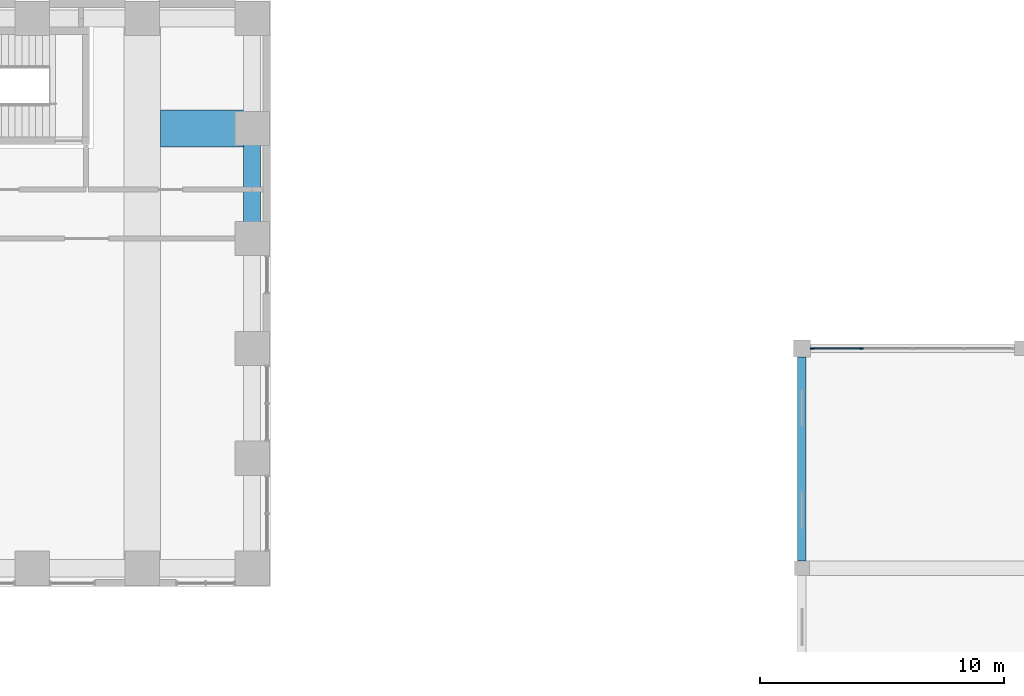
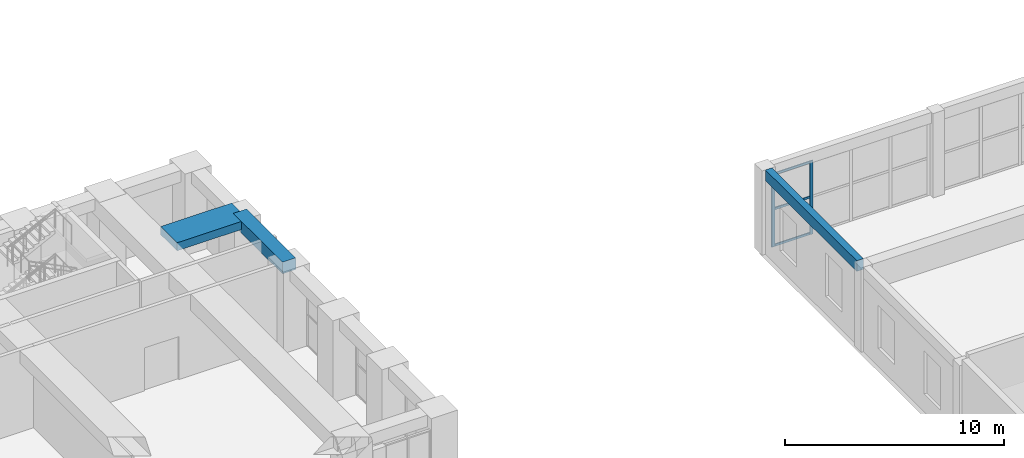
# One storey, part 9 of 34: 5 members, 3 beams, 1 element without a shape of its own.
"""IFC4 building model written with IfcOpenShell, lengths in metres."""

from ifc_helpers import new_model, si_unit, direction, frame, origin, origin_2d, place, context, subcontext, project, spatial, rectangle, extrude, material, material_profile, profile_set, type_object, element, aggregate, save


model = new_model("IFC4")

# Units and contexts
model_context = context("Model", 3, precision=1e-05, world=origin(), true_north=direction((0.0, 1.0)))
body_context = subcontext(model_context, "Body", "Model", "MODEL_VIEW")
ifc_project = project(units=[si_unit("LENGTHUNIT", "METRE"), si_unit("AREAUNIT", "SQUARE_METRE"), si_unit("VOLUMEUNIT", "CUBIC_METRE"), si_unit("PLANEANGLEUNIT", "RADIAN"), si_unit("MASSUNIT", "GRAM", prefix="KILO")], contexts=[model_context])

# Site, building, storey
site_placement = place(None, origin())
site = spatial("IfcSite", under=ifc_project, at=site_placement, CompositionType="ELEMENT")
building_placement = place(site_placement, origin())
building = spatial("IfcBuilding", under=site, at=building_placement, Name="Firuza Court", CompositionType="ELEMENT")
storey_placement = place(building_placement, frame((0.0, 0.0, 19.0)))
storey = spatial("IfcBuildingStorey", under=building, at=storey_placement, Name="L03", CompositionType="ELEMENT", Elevation=19.0)

# Beam
ifc_material_1 = material(Name="Concrete C40/50", Category="concrete")
ifc_material_profile_1 = material_profile(ifc_material_1, rectangle(XDim=1.5, YDim=0.449951171875, at=origin_2d()), Name="RC 1500x450")
ifc_profile_set_1 = profile_set([ifc_material_profile_1], Name="Concrete C40/50")
beam_type_1 = type_object("IfcBeamType", Name="Band beam RC 1500x450 C40/50", PredefinedType="BEAM", material=ifc_profile_set_1)
beam_1_placement = place(storey_placement, frame((67.5, 54.0, 4.324951171875), z_axis=(-1.0, 0.0, 0.0), x_axis=(0.0, -1.0, 0.0)))
element("IfcBeam", 1, at=beam_1_placement, inside=storey, type_object=beam_type_1, Name="Band beam FB5 level L04", PredefinedType="BEAM", context=body_context, shape_type="SweptSolid", body=[
    extrude(rectangle(XDim=1.5, YDim=0.449951171875, at=origin_2d()), origin(), (0.0, 0.0, 1.0), 3.75),
])

# Curtain wall, members
ifc_material_2 = material(Name="Aluminium", Category="aluminium")
curtain_wall_type = type_object("IfcCurtainWallType", Name="CW6 FOYER CURTAIN WALL", PredefinedType="NOTDEFINED", material=ifc_material_2)
curtain_wall_placement = place(storey_placement, origin())
curtain_wall = element("IfcCurtainWall", 2, at=curtain_wall_placement, inside=storey, type_object=curtain_wall_type, Name="CW6 foyer curtain wall 9", PredefinedType="NOTDEFINED")
ifc_material_3 = material(Name="Aluminium", Category="aluminium")
ifc_material_profile_2 = material_profile(ifc_material_3, rectangle(XDim=0.06005859375, YDim=0.159912109375, at=origin_2d()), Name="MULLION 60X160")
ifc_profile_set_2 = profile_set([ifc_material_profile_2], Name="Aluminium")
member_type_1 = type_object("IfcMemberType", Name="CW6 MULLION 60X160", PredefinedType="MULLION", material=ifc_profile_set_2)
member_1_placement = place(storey_placement, frame((90.429931640625, 45.0, 0.0), z_axis=(0.0, 0.0, 1.0), x_axis=(0.0, 1.0, 0.0)))
member_1 = element("IfcMember", 3, at=member_1_placement, type_object=member_type_1, Name="CW6 mullion 1", PredefinedType="MULLION", context=body_context, shape_type="SweptSolid", body=[
    extrude(rectangle(XDim=0.06005859375, YDim=0.159912109375, at=origin_2d()), origin(), (0.0, 0.0, 1.0), 4.10009765625),
])
member_2_placement = place(storey_placement, frame((92.4375, 45.0, 0.0), z_axis=(0.0, 0.0, 1.0), x_axis=(0.0, 1.0, 0.0)))
member_2 = element("IfcMember", 4, at=member_2_placement, type_object=member_type_1, Name="CW6 mullion 2", PredefinedType="MULLION", context=body_context, shape_type="SweptSolid", body=[
    extrude(rectangle(XDim=0.06005859375, YDim=0.159912109375, at=origin_2d()), origin(), (0.0, 0.0, 1.0), 4.10009765625),
])
ifc_material_4 = material(Name="Aluminium", Category="aluminium")
ifc_material_profile_3 = material_profile(ifc_material_4, rectangle(XDim=0.06005859375, YDim=0.1201171875, at=origin_2d()), Name="TRANSOM 60X120")
ifc_profile_set_3 = profile_set([ifc_material_profile_3], Name="Aluminium")
member_type_2 = type_object("IfcMemberType", Name="CW6 TRANSOM 60X120", PredefinedType="USERDEFINED", material=ifc_profile_set_3)
member_3_placement = place(storey_placement, frame((90.510009765625, 45.0, 0.06005859375), z_axis=(1.0, 0.0, 0.0), x_axis=(0.0, 1.0, 0.0)))
member_3 = element("IfcMember", 5, at=member_3_placement, type_object=member_type_2, Name="CW6 transom 1.1", ObjectType="TRANSOM", PredefinedType="USERDEFINED", context=body_context, shape_type="SweptSolid", body=[
    extrude(rectangle(XDim=0.06005859375, YDim=0.1201171875, at=origin_2d()), origin(), (0.0, 0.0, 1.0), 1.847412109375),
])
member_4_placement = place(storey_placement, frame((90.510009765625, 45.0, 2.10009765625), z_axis=(1.0, 0.0, 0.0), x_axis=(0.0, 1.0, 0.0)))
member_4 = element("IfcMember", 6, at=member_4_placement, type_object=member_type_2, Name="CW6 transom 1.2", ObjectType="TRANSOM", PredefinedType="USERDEFINED", context=body_context, shape_type="SweptSolid", body=[
    extrude(rectangle(XDim=0.06005859375, YDim=0.1201171875, at=origin_2d()), origin(), (0.0, 0.0, 1.0), 1.847412109375),
])
member_5_placement = place(storey_placement, frame((90.510009765625, 45.0, 4.0400390625), z_axis=(1.0, 0.0, 0.0), x_axis=(0.0, 1.0, 0.0)))
member_5 = element("IfcMember", 7, at=member_5_placement, type_object=member_type_2, Name="CW6 transom 1.3", ObjectType="TRANSOM", PredefinedType="USERDEFINED", context=body_context, shape_type="SweptSolid", body=[
    extrude(rectangle(XDim=0.06005859375, YDim=0.1201171875, at=origin_2d()), origin(), (0.0, 0.0, 1.0), 1.847412109375),
])
aggregate(curtain_wall, [member_1, member_2, member_3, member_4, member_5])

# Beams
ifc_material_5 = material(Name="Concrete C40/50", Category="concrete")
ifc_material_profile_4 = material_profile(ifc_material_5, rectangle(XDim=0.35009765625, YDim=0.60009765625, at=origin_2d()), Name="RC 350X600")
ifc_profile_set_4 = profile_set([ifc_material_profile_4], Name="Concrete C40/50")
beam_type_2 = type_object("IfcBeamType", Name="RC RING BEAM 350X600", PredefinedType="BEAM", material=ifc_profile_set_4)
beam_2_placement = place(storey_placement, frame((90.0, 36.300048828125, 4.39990234375), z_axis=(0.0, 1.0, 0.0), x_axis=(-1.0, 0.0, 0.0)))
element("IfcBeam", 8, at=beam_2_placement, inside=storey, type_object=beam_type_2, Name="Edge beam W4.1 L03", PredefinedType="BEAM", context=body_context, shape_type="SweptSolid", body=[
    extrude(rectangle(XDim=0.35009765625, YDim=0.60009765625, at=origin_2d()), origin(), (0.0, 0.0, 1.0), 8.349853515625),
])
ifc_material_6 = material(Name="Concrete C40/50", Category="concrete")
ifc_material_profile_5 = material_profile(ifc_material_6, rectangle(XDim=0.699951171875, YDim=0.64990234375, at=origin_2d()), Name="RC 700x650")
ifc_profile_set_5 = profile_set([ifc_material_profile_5], Name="Concrete C40/50")
beam_type_3 = type_object("IfcBeamType", Name="Spandrel beam RC 700x650 C40/50", PredefinedType="BEAM", material=ifc_profile_set_5)
beam_3_placement = place(storey_placement, frame((67.5, 49.5, 4.22509765625), z_axis=(0.0, 1.0, 0.0), x_axis=(-1.0, 0.0, 0.0)))
element("IfcBeam", 9, at=beam_3_placement, inside=storey, type_object=beam_type_3, Name="Spandrel beam SP9 level L04", PredefinedType="BEAM", context=body_context, shape_type="SweptSolid", body=[
    extrude(rectangle(XDim=0.699951171875, YDim=0.64990234375, at=origin_2d()), origin(), (0.0, 0.0, 1.0), 4.5),
])

save(model, "model.ifc")
